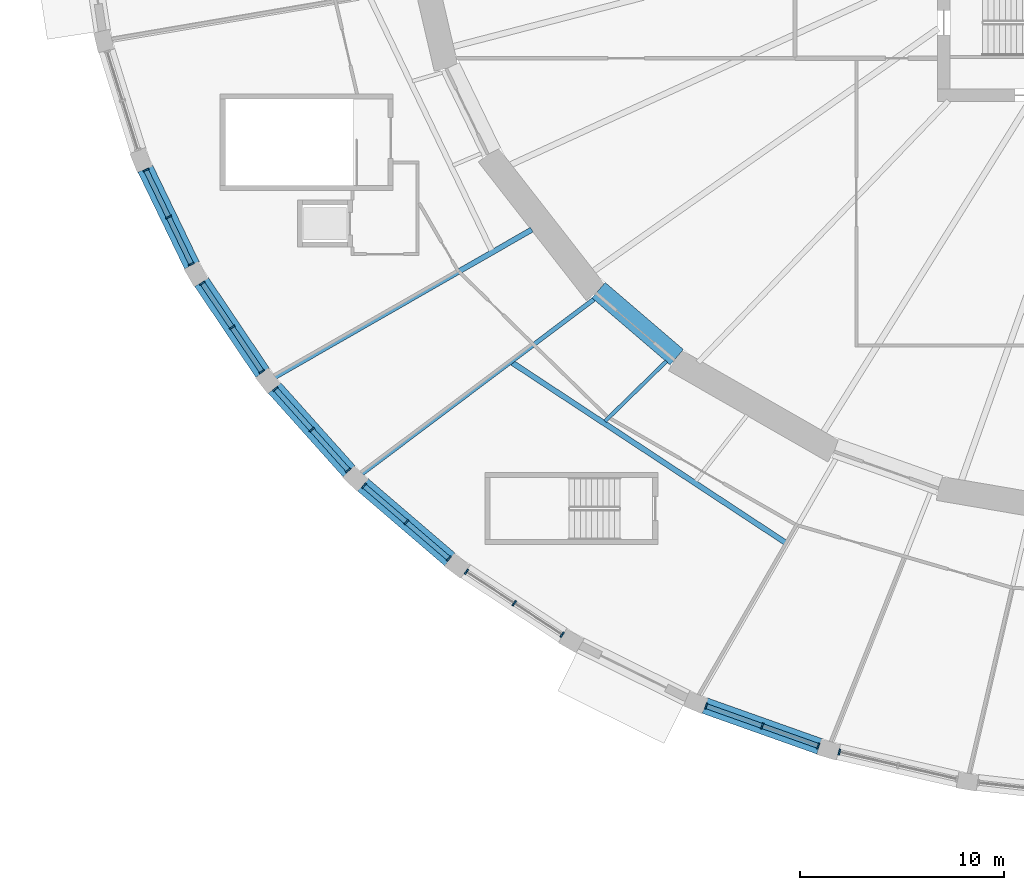
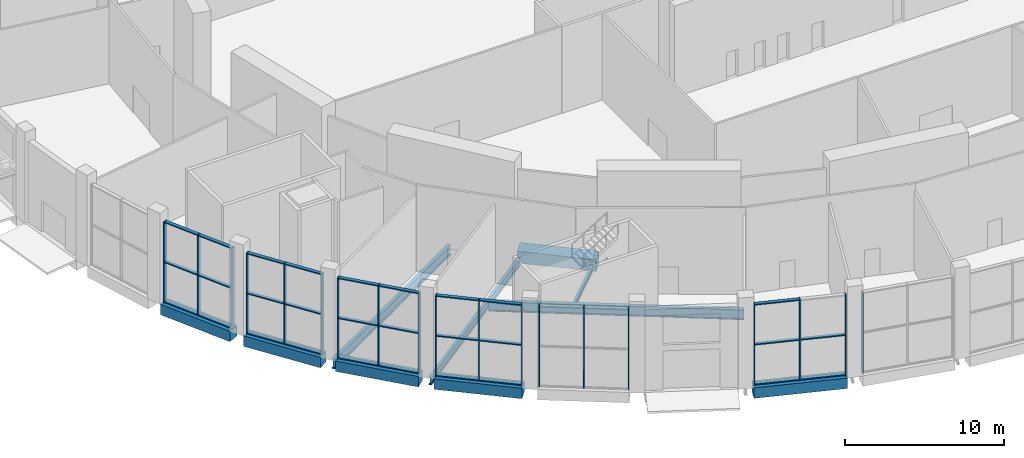
# One storey, part 2 of 33: 48 members, 10 beams, 7 elements without a shape of their own.
"""IFC4 building model written with IfcOpenShell, lengths in metres."""

import ifcopenshell
import ifcopenshell.guid

model = None  # the IFC model being written
_history = None  # IfcOwnerHistory: only IFC2X3 demands one
_inside = {}  # id of a spatial element -> (the spatial element, [elements in it])
_under = {}  # id of a project, library or spatial element -> (it, [spatial elements below it])
_declared = {}  # id of a project -> (the project, [libraries it declares])
_typed = {}  # id of a type object -> (the type object, [elements of that type])
_made_of = {}  # id of a material, layer set ... -> (it, [elements and type objects made of it])


def new_model(schema):
    """Start an empty IFC model of exactly this schema.

    Asked for "IFC4X3", IfcOpenShell would pick the latest addendum, in which some entities
    have other attributes; the version numbers below select the first issue.
    IFC2X3 requires an IfcOwnerHistory on every rooted entity: one is made here for all.
    """
    global model, _history
    if schema == "IFC4X3":
        model = ifcopenshell.file(schema_version=(4, 3, 0, 0))
    else:
        model = ifcopenshell.file(schema=schema)
    _inside.clear()
    _under.clear()
    _declared.clear()
    _typed.clear()
    _made_of.clear()
    _history = None
    if model.schema == "IFC2X3":
        org = make("IfcOrganization", Name="unknown")
        user = make(
            "IfcPersonAndOrganization",
            ThePerson=make("IfcPerson", FamilyName="unknown"),
            TheOrganization=org,
        )
        app = make(
            "IfcApplication",
            ApplicationDeveloper=org,
            Version="unknown",
            ApplicationFullName="unknown",
            ApplicationIdentifier="unknown",
        )
        _history = make(
            "IfcOwnerHistory",
            OwningUser=user,
            OwningApplication=app,
            ChangeAction="ADDED",
            CreationDate=0,
        )
    return model


def make(cls, **values):
    """One entity of the class cls with the attributes given. An attribute that is None is left unset."""
    return model.create_entity(
        cls, **{name: value for name, value in values.items() if value is not None}
    )


def rooted(cls, **values):
    """An entity with a GlobalId (a new one), such as an element, a storey or a relation."""
    return make(cls, GlobalId=ifcopenshell.guid.new(), OwnerHistory=_history, **values)


def si_unit(unit_type, name, prefix=None):
    """IfcSIUnit, for example si_unit("LENGTHUNIT", "METRE", prefix="MILLI")."""
    return make("IfcSIUnit", UnitType=unit_type, Prefix=prefix, Name=name)


def assignment(units):
    """IfcUnitAssignment: the units of a project."""
    return None if units is None else make("IfcUnitAssignment", Units=units)


def point(xyz):
    """IfcCartesianPoint."""
    return None if xyz is None else make("IfcCartesianPoint", Coordinates=xyz)


def direction(xyz):
    """IfcDirection."""
    return None if xyz is None else make("IfcDirection", DirectionRatios=xyz)


def frame(location, z_axis=None, x_axis=None):
    """IfcAxis2Placement3D, a coordinate frame: its origin and axes. An axis left out is left unset."""
    return make(
        "IfcAxis2Placement3D",
        Location=point(location),
        Axis=direction(z_axis),
        RefDirection=direction(x_axis),
    )


def frame_2d(location, x_axis=None):
    """IfcAxis2Placement2D, a coordinate frame in the plane: its origin and x axis."""
    return make(
        "IfcAxis2Placement2D", Location=point(location), RefDirection=direction(x_axis)
    )


def origin():
    """The frame at (0, 0, 0) with its axes left unset."""
    return frame((0.0, 0.0, 0.0))


def origin_2d():
    """The frame at (0, 0) in the plane with its x axis left unset."""
    return frame_2d((0.0, 0.0))


def place(relative_to, where):
    """IfcLocalPlacement: puts the frame where relative to a parent placement (None: the world)."""
    return make(
        "IfcLocalPlacement", PlacementRelTo=relative_to, RelativePlacement=where
    )


def context(
    kind, dimensions, precision=None, world=None, true_north=None, identifier=None
):
    """IfcGeometricRepresentationContext, for example the 3D "Model" context."""
    return make(
        "IfcGeometricRepresentationContext",
        ContextIdentifier=identifier,
        ContextType=kind,
        CoordinateSpaceDimension=dimensions,
        Precision=precision,
        WorldCoordinateSystem=world,
        TrueNorth=true_north,
    )


def subcontext(parent, identifier, kind, view, scale=None):
    """IfcGeometricRepresentationSubContext, for example "Body" below "Model"."""
    return make(
        "IfcGeometricRepresentationSubContext",
        ContextIdentifier=identifier,
        ContextType=kind,
        ParentContext=parent,
        TargetScale=scale,
        TargetView=view,
    )


def project(units=None, contexts=None):
    """IfcProject with its units and contexts."""
    return rooted(
        "IfcProject",
        Name="project",
        RepresentationContexts=contexts,
        UnitsInContext=assignment(units),
    )


def spatial(cls, under=None, at=None, **own):
    """A site, building, storey or space (cls), placed at a placement, below another one or the project."""
    s = rooted(cls, ObjectPlacement=at, **own)
    if under is not None:
        _under.setdefault(under.id(), (under, []))[1].append(s)
    return s


def profile(cls, at=None, kind="AREA", **sizes):
    """A parametric profile (cls). Its sizes go by their IFC names, for example OverallWidth=200.0."""
    return make(cls, ProfileType=kind, Position=at, **sizes)


def rectangle(**sizes):
    """IfcRectangleProfileDef."""
    return profile("IfcRectangleProfileDef", **sizes)


def i_section(**sizes):
    """IfcIShapeProfileDef."""
    return profile("IfcIShapeProfileDef", **sizes)


def extrude(swept, where, along, depth):
    """IfcExtrudedAreaSolid: the profile swept, set in the frame where, extruded along a direction by depth."""
    return make(
        "IfcExtrudedAreaSolid",
        SweptArea=swept,
        Position=where,
        ExtrudedDirection=direction(along),
        Depth=depth,
    )


def shape(context_of_items, identifier, shape_type, items):
    """IfcShapeRepresentation: the items that make up one representation, for example the "Body"."""
    return make(
        "IfcShapeRepresentation",
        ContextOfItems=context_of_items,
        RepresentationIdentifier=identifier,
        RepresentationType=shape_type,
        Items=items,
    )


def material(Name=None, Category=None):
    """IfcMaterial."""
    return make("IfcMaterial", Name=Name, Category=Category)


def material_profile(
    of_material, cross_section, Name=None, Category=None, Priority=None
):
    """IfcMaterialProfile: a cross section and its material."""
    return make(
        "IfcMaterialProfile",
        Name=Name,
        Material=of_material,
        Profile=cross_section,
        Priority=Priority,
        Category=Category,
    )


def profile_set(profiles, Name=None, composite=None):
    """IfcMaterialProfileSet."""
    return make(
        "IfcMaterialProfileSet",
        Name=Name,
        MaterialProfiles=profiles,
        CompositeProfile=composite,
    )


def made_of(thing, what):
    """Note that an element or type object is made of a material, layer set ...; save() writes the relation."""
    if what is not None:
        _made_of.setdefault(what.id(), (what, []))[1].append(thing)
    return thing


def type_object(cls, material=None, **own):
    """A type object (cls), such as IfcWallType, which elements share."""
    return made_of(rooted(cls, **own), material)


def element(
    cls,
    number,
    at=None,
    inside=None,
    cuts=None,
    type_object=None,
    material=None,
    context=None,
    identifier="Body",
    shape_type=None,
    held_by="IfcProductDefinitionShape",
    body=None,
    shapes=None,
    **own,
):
    """One element of the class cls, such as IfcWall. Its Tag is "e" and its number.

    at: its placement. inside: the storey or other place that contains it. cuts: it is an
    opening in that element (IfcRelVoidsElement). A single representation is given by context,
    identifier, shape_type and body (its items); several are given by shapes. held_by: the class
    of the entity that holds the representations. save() writes the other relations.
    """
    e = rooted(cls, Tag="e%d" % number, ObjectPlacement=at, **own)
    if body is not None:
        shapes = [shape(context, identifier, shape_type, body)]
    if shapes is not None:
        e.Representation = make(held_by, Representations=shapes)
    if inside is not None:
        _inside.setdefault(inside.id(), (inside, []))[1].append(e)
    if cuts is not None:
        rooted(
            "IfcRelVoidsElement", RelatingBuildingElement=cuts, RelatedOpeningElement=e
        )
    if type_object is not None:
        _typed.setdefault(type_object.id(), (type_object, []))[1].append(e)
    return made_of(e, material)


def aggregate(whole, parts):
    """IfcRelAggregates: a whole, such as a stair, and the parts it consists of."""
    return rooted("IfcRelAggregates", RelatingObject=whole, RelatedObjects=parts)


def save(model, path):
    """Write the relations noted so far, then the file.

    IfcRelAggregates (storeys below a building ...), IfcRelContainedInSpatialStructure (elements
    in a storey), IfcRelDefinesByType, IfcRelAssociatesMaterial and IfcRelDeclares: one each for
    every whole, place, type object, material and project.
    """
    for whole, parts in _under.values():
        aggregate(whole, parts)
    for where, things in _inside.values():
        rooted(
            "IfcRelContainedInSpatialStructure",
            RelatedElements=things,
            RelatingStructure=where,
        )
    for kind, things in _typed.values():
        rooted("IfcRelDefinesByType", RelatedObjects=things, RelatingType=kind)
    for what, things in _made_of.values():
        rooted("IfcRelAssociatesMaterial", RelatedObjects=things, RelatingMaterial=what)
    for by, libraries in _declared.values():
        rooted("IfcRelDeclares", RelatingContext=by, RelatedDefinitions=libraries)
    model.write(path)


model = new_model("IFC4")

# Units and contexts
model_context = context("Model", 3, precision=1e-05, world=origin(), true_north=direction((0.0, 1.0)))
body_context = subcontext(model_context, "Body", "Model", "MODEL_VIEW")
ifc_project = project(units=[si_unit("LENGTHUNIT", "METRE"), si_unit("AREAUNIT", "SQUARE_METRE"), si_unit("VOLUMEUNIT", "CUBIC_METRE"), si_unit("PLANEANGLEUNIT", "RADIAN"), si_unit("MASSUNIT", "GRAM", prefix="KILO")], contexts=[model_context])

# Site, building, storey
site_placement = place(None, origin())
site = spatial("IfcSite", under=ifc_project, at=site_placement, CompositionType="ELEMENT")
building_placement = place(site_placement, origin())
building = spatial("IfcBuilding", under=site, at=building_placement, Name="Halqa Exchange Tower", CompositionType="ELEMENT")
storey_placement = place(building_placement, origin())
storey = spatial("IfcBuildingStorey", under=building, at=storey_placement, Name="L00", CompositionType="ELEMENT", Elevation=0.0)

# Beams
ifc_material_1 = material(Name="Steel S355", Category="steel")
ifc_material_profile_1 = material_profile(ifc_material_1, i_section(OverallWidth=0.179931640625, OverallDepth=0.39990234375, WebThickness=0.008544921875, FlangeThickness=0.013427734375, FilletRadius=0.02099609375, at=origin_2d()), Name="IPE 400")
ifc_profile_set_1 = profile_set([ifc_material_profile_1], Name="Steel S355")
beam_type_1 = type_object("IfcBeamType", Name="Floor beam IPE 400", PredefinedType="BEAM", material=ifc_profile_set_1)
beam_1_placement = place(storey_placement, frame((-25.322265625, -24.757080078125, -0.64990234375), z_axis=(-0.715007310884, -0.699116975464, 0.0), x_axis=(0.699116975464, -0.715007310884, 0.0)))
element("IfcBeam", 1, at=beam_1_placement, inside=storey, type_object=beam_type_1, Name="Radial beam 31a", PredefinedType="BEAM", context=body_context, shape_type="SweptSolid", body=[
    extrude(i_section(OverallWidth=0.179931640625, OverallDepth=0.39990234375, WebThickness=0.008544921875, FlangeThickness=0.013427734375, FilletRadius=0.02099609375, at=origin_2d()), origin(), (0.0, 0.0, 1.0), 4.22509765625),
])
ifc_material_profile_2 = material_profile(ifc_material_1, i_section(OverallWidth=0.219970703125, OverallDepth=0.60009765625, WebThickness=0.011962890625, FlangeThickness=0.01904296875, FilletRadius=0.02392578125, at=origin_2d()), Name="IPE 600")
ifc_profile_set_2 = profile_set([ifc_material_profile_2], Name="Steel S355")
beam_type_2 = type_object("IfcBeamType", Name="Floor beam IPE 600", PredefinedType="BEAM", material=ifc_profile_set_2)
beam_2_placement = place(storey_placement, frame((-28.875732421875, -21.71240234375, -0.75), z_axis=(-0.799257291391, -0.600989003359, 0.0), x_axis=(0.600989003359, -0.799257291391, 0.0)))
element("IfcBeam", 2, at=beam_2_placement, inside=storey, type_object=beam_type_2, Name="Radial beam 30", PredefinedType="BEAM", context=body_context, shape_type="SweptSolid", body=[
    extrude(i_section(OverallWidth=0.219970703125, OverallDepth=0.60009765625, WebThickness=0.011962890625, FlangeThickness=0.01904296875, FilletRadius=0.02392578125, at=origin_2d()), origin(), (0.0, 0.0, 1.0), 14.291259765625),
])
ifc_material_profile_3 = material_profile(ifc_material_1, i_section(OverallWidth=0.264892578125, OverallDepth=0.7529296875, WebThickness=0.01318359375, FlangeThickness=0.01708984375, FilletRadius=0.01708984375, at=origin_2d()), Name="IPE 750x147")
ifc_profile_set_3 = profile_set([ifc_material_profile_3], Name="Steel S355")
beam_type_3 = type_object("IfcBeamType", Name="Floor beam IPE 750x147", PredefinedType="BEAM", material=ifc_profile_set_3)
beam_3_placement = place(storey_placement, frame((-31.942626953125, -18.300048828125, -0.826416015625), z_axis=(-0.867691436398, -0.497103179633, 0.0), x_axis=(0.497103179633, -0.867691436398, 0.0)))
element("IfcBeam", 3, at=beam_3_placement, inside=storey, type_object=beam_type_3, Name="Radial beam 29", PredefinedType="BEAM", context=body_context, shape_type="SweptSolid", body=[
    extrude(i_section(OverallWidth=0.264892578125, OverallDepth=0.7529296875, WebThickness=0.01318359375, FlangeThickness=0.01708984375, FilletRadius=0.01708984375, at=origin_2d()), origin(), (0.0, 0.0, 1.0), 14.555908203125),
])
ifc_material_profile_4 = material_profile(ifc_material_1, i_section(OverallWidth=0.26806640625, OverallDepth=0.77001953125, WebThickness=0.015625, FlangeThickness=0.025390625, FilletRadius=0.01708984375, at=origin_2d()), Name="IPE 750x196")
ifc_profile_set_4 = profile_set([ifc_material_profile_4], Name="Steel S355")
beam_type_4 = type_object("IfcBeamType", Name="Floor beam IPE 750x196", PredefinedType="BEAM", material=ifc_profile_set_4)
beam_4_placement = place(storey_placement, frame((-32.896728515625, -24.839599609375, -0.8349609375), z_axis=(0.835204203593, -0.54993994063, 0.0), x_axis=(0.54993994063, 0.835204203593, 0.0)))
element("IfcBeam", 4, at=beam_4_placement, inside=storey, type_object=beam_type_4, Name="Radial beam TPS4-in", PredefinedType="BEAM", context=body_context, shape_type="SweptSolid", body=[
    extrude(i_section(OverallWidth=0.26806640625, OverallDepth=0.77001953125, WebThickness=0.015625, FlangeThickness=0.025390625, FilletRadius=0.01708984375, at=origin_2d()), origin(), (0.0, 0.0, 1.0), 16.07958984375),
])
ifc_material_2 = material(Name="Concrete C60/75", Category="concrete")
ifc_material_profile_5 = material_profile(ifc_material_2, rectangle(XDim=0.800048828125, YDim=0.800048828125, at=origin_2d()), Name="800 x 800")
ifc_profile_set_5 = profile_set([ifc_material_profile_5], Name="Concrete C60/75")
beam_type_5 = type_object("IfcBeamType", Name="RC podium edge beam 800 x 800 C60/75", PredefinedType="SPANDREL", material=ifc_profile_set_5)
beam_5_placement = place(storey_placement, frame((-50.92822265625, -15.308837890625, -0.39990234375), z_axis=(0.43497328232, -0.9004433595, 0.0), x_axis=(0.9004433595, 0.43497328232, 0.0)))
element("IfcBeam", 5, at=beam_5_placement, inside=storey, type_object=beam_type_5, Name="Podium edge beam 27", PredefinedType="SPANDREL", context=body_context, shape_type="SweptSolid", body=[
    extrude(rectangle(XDim=0.800048828125, YDim=0.800048828125, at=origin_2d()), origin(), (0.0, 0.0, 1.0), 5.267578125),
])
beam_6_placement = place(storey_placement, frame((-48.1669921875, -20.8701171875, -0.39990234375), z_axis=(0.558528358221, -0.829485426673, 0.0), x_axis=(0.829485426673, 0.558528358221, 0.0)))
element("IfcBeam", 6, at=beam_6_placement, inside=storey, type_object=beam_type_5, Name="Podium edge beam 28", PredefinedType="SPANDREL", context=body_context, shape_type="SweptSolid", body=[
    extrude(rectangle(XDim=0.800048828125, YDim=0.800048828125, at=origin_2d()), origin(), (0.0, 0.0, 1.0), 5.378173828125),
])
beam_7_placement = place(storey_placement, frame((-44.58349609375, -26.075927734375, -0.39990234375), z_axis=(0.666902525907, -0.745144966392, 0.0), x_axis=(0.745144966392, 0.666902525907, 0.0)))
element("IfcBeam", 7, at=beam_7_placement, inside=storey, type_object=beam_type_5, Name="Podium edge beam 29", PredefinedType="SPANDREL", context=body_context, shape_type="SweptSolid", body=[
    extrude(rectangle(XDim=0.800048828125, YDim=0.800048828125, at=origin_2d()), origin(), (0.0, 0.0, 1.0), 5.501220703125),
])
beam_8_placement = place(storey_placement, frame((-40.240478515625, -30.83544921875, -0.39990234375), z_axis=(0.759174010844, -0.650887717859, 0.0), x_axis=(0.650887717859, 0.759174010844, 0.0)))
element("IfcBeam", 8, at=beam_8_placement, inside=storey, type_object=beam_type_5, Name="Podium edge beam 30", PredefinedType="SPANDREL", context=body_context, shape_type="SweptSolid", body=[
    extrude(rectangle(XDim=0.800048828125, YDim=0.800048828125, at=origin_2d()), origin(), (0.0, 0.0, 1.0), 5.63427734375),
])
beam_9_placement = place(storey_placement, frame((-23.4384765625, -41.683349609375, -0.39990234375), z_axis=(0.942343471221, -0.334647250469, 0.0), x_axis=(0.334647250469, 0.942343471221, 0.0)))
element("IfcBeam", 9, at=beam_9_placement, inside=storey, type_object=beam_type_5, Name="Podium edge beam 33", PredefinedType="SPANDREL", context=body_context, shape_type="SweptSolid", body=[
    extrude(rectangle(XDim=0.800048828125, YDim=0.800048828125, at=origin_2d()), origin(), (0.0, 0.0, 1.0), 5.980712890625),
])
ifc_material_profile_6 = material_profile(ifc_material_2, rectangle(XDim=1.0, YDim=0.89990234375, at=origin_2d()), Name="1000 x 900")
ifc_profile_set_6 = profile_set([ifc_material_profile_6], Name="Concrete C60/75")
beam_type_6 = type_object("IfcBeamType", Name="RC spandrel beam 1000 x 900 C60/75", PredefinedType="SPANDREL", material=ifc_profile_set_6)
beam_10_placement = place(storey_placement, frame((-28.659423828125, -21.27587890625, -0.449951171875), z_axis=(0.759263417999, -0.650783421799, 0.0), x_axis=(0.650783421799, 0.759263417999, 0.0)))
element("IfcBeam", 10, at=beam_10_placement, inside=storey, type_object=beam_type_6, Name="Spandrel 20", PredefinedType="SPANDREL", context=body_context, shape_type="SweptSolid", body=[
    extrude(rectangle(XDim=1.0, YDim=0.89990234375, at=origin_2d()), origin(), (0.0, 0.0, 1.0), 5.056884765625),
])

# Curtain wall, members
ifc_material_3 = material(Name="Anodised aluminium and clear glass", Category="aluminium")
curtain_wall_type = type_object("IfcCurtainWallType", Name="Station concourse glazing", PredefinedType="NOTDEFINED", material=ifc_material_3)
curtain_wall_1_placement = place(storey_placement, origin())
curtain_wall_1 = element("IfcCurtainWall", 11, at=curtain_wall_1_placement, inside=storey, type_object=curtain_wall_type, Name="Station concourse glazing run P27", PredefinedType="NOTDEFINED")
ifc_material_4 = material(Name="Anodised aluminium", Category="aluminium")
ifc_material_profile_7 = material_profile(ifc_material_4, rectangle(XDim=0.300048828125, YDim=0.080078125, at=origin_2d()), Name="AL 80x300")
ifc_profile_set_7 = profile_set([ifc_material_profile_7], Name="Anodised aluminium")
member_type_1 = type_object("IfcMemberType", Name="Station concourse glazing mullion 80 x 300", PredefinedType="MULLION", material=ifc_profile_set_7)
member_1_placement = place(storey_placement, frame((-50.8994140625, -15.368896484375, 0.0), z_axis=(0.0, 0.0, 1.0), x_axis=(0.90043534892, 0.434989864727, 0.0)))
member_1 = element("IfcMember", 12, at=member_1_placement, type_object=member_type_1, Name="P27 mullion 1", PredefinedType="MULLION", context=body_context, shape_type="SweptSolid", body=[
    extrude(rectangle(XDim=0.300048828125, YDim=0.080078125, at=origin_2d()), origin(), (0.0, 0.0, 1.0), 6.199951171875),
])
member_2_placement = place(storey_placement, frame((-49.78271484375, -17.680419921875, 0.0), z_axis=(0.0, 0.0, 1.0), x_axis=(0.90043534892, 0.434989864727, 0.0)))
member_2 = element("IfcMember", 13, at=member_2_placement, type_object=member_type_1, Name="P27 mullion 2", PredefinedType="MULLION", context=body_context, shape_type="SweptSolid", body=[
    extrude(rectangle(XDim=0.300048828125, YDim=0.080078125, at=origin_2d()), origin(), (0.0, 0.0, 1.0), 6.199951171875),
])
member_3_placement = place(storey_placement, frame((-48.666015625, -19.99169921875, 0.0), z_axis=(0.0, 0.0, 1.0), x_axis=(0.90043534892, 0.434989864727, 0.0)))
member_3 = element("IfcMember", 14, at=member_3_placement, type_object=member_type_1, Name="P27 mullion 3", PredefinedType="MULLION", context=body_context, shape_type="SweptSolid", body=[
    extrude(rectangle(XDim=0.300048828125, YDim=0.080078125, at=origin_2d()), origin(), (0.0, 0.0, 1.0), 6.199951171875),
])

curtain_wall_2_placement = place(storey_placement, origin())
curtain_wall_2 = element("IfcCurtainWall", 15, at=curtain_wall_2_placement, inside=storey, type_object=curtain_wall_type, Name="Station concourse glazing run P28", PredefinedType="NOTDEFINED")
member_4_placement = place(storey_placement, frame((-48.12939453125, -20.92578125, 0.0), z_axis=(0.0, 0.0, 1.0), x_axis=(0.8294895023, 0.55852230535, 0.0)))
member_4 = element("IfcMember", 16, at=member_4_placement, type_object=member_type_1, Name="P28 mullion 1", PredefinedType="MULLION", context=body_context, shape_type="SweptSolid", body=[
    extrude(rectangle(XDim=0.300048828125, YDim=0.080078125, at=origin_2d()), origin(), (0.0, 0.0, 1.0), 6.199951171875),
])
member_5_placement = place(storey_placement, frame((-46.665283203125, -23.100341796875, 0.0), z_axis=(0.0, 0.0, 1.0), x_axis=(0.8294895023, 0.55852230535, 0.0)))
member_5 = element("IfcMember", 17, at=member_5_placement, type_object=member_type_1, Name="P28 mullion 2", PredefinedType="MULLION", context=body_context, shape_type="SweptSolid", body=[
    extrude(rectangle(XDim=0.300048828125, YDim=0.080078125, at=origin_2d()), origin(), (0.0, 0.0, 1.0), 6.199951171875),
])
member_6_placement = place(storey_placement, frame((-45.200927734375, -25.27490234375, 0.0), z_axis=(0.0, 0.0, 1.0), x_axis=(0.8294895023, 0.55852230535, 0.0)))
member_6 = element("IfcMember", 18, at=member_6_placement, type_object=member_type_1, Name="P28 mullion 3", PredefinedType="MULLION", context=body_context, shape_type="SweptSolid", body=[
    extrude(rectangle(XDim=0.300048828125, YDim=0.080078125, at=origin_2d()), origin(), (0.0, 0.0, 1.0), 6.199951171875),
])

curtain_wall_3_placement = place(storey_placement, origin())
curtain_wall_3 = element("IfcCurtainWall", 19, at=curtain_wall_3_placement, inside=storey, type_object=curtain_wall_type, Name="Station concourse glazing run P29", PredefinedType="NOTDEFINED")
member_7_placement = place(storey_placement, frame((-44.539306640625, -26.125244140625, 0.0), z_axis=(0.0, 0.0, 1.0), x_axis=(0.74514769466, 0.666899477539, 0.0)))
member_7 = element("IfcMember", 20, at=member_7_placement, type_object=member_type_1, Name="P29 mullion 1", PredefinedType="MULLION", context=body_context, shape_type="SweptSolid", body=[
    extrude(rectangle(XDim=0.300048828125, YDim=0.080078125, at=origin_2d()), origin(), (0.0, 0.0, 1.0), 6.199951171875),
])
member_8_placement = place(storey_placement, frame((-42.749267578125, -28.125244140625, 0.0), z_axis=(0.0, 0.0, 1.0), x_axis=(0.74514769466, 0.666899477539, 0.0)))
member_8 = element("IfcMember", 21, at=member_8_placement, type_object=member_type_1, Name="P29 mullion 2", PredefinedType="MULLION", context=body_context, shape_type="SweptSolid", body=[
    extrude(rectangle(XDim=0.300048828125, YDim=0.080078125, at=origin_2d()), origin(), (0.0, 0.0, 1.0), 6.199951171875),
])
member_9_placement = place(storey_placement, frame((-40.95947265625, -30.125244140625, 0.0), z_axis=(0.0, 0.0, 1.0), x_axis=(0.74514769466, 0.666899477539, 0.0)))
member_9 = element("IfcMember", 22, at=member_9_placement, type_object=member_type_1, Name="P29 mullion 3", PredefinedType="MULLION", context=body_context, shape_type="SweptSolid", body=[
    extrude(rectangle(XDim=0.300048828125, YDim=0.080078125, at=origin_2d()), origin(), (0.0, 0.0, 1.0), 6.199951171875),
])

curtain_wall_4_placement = place(storey_placement, origin())
curtain_wall_4 = element("IfcCurtainWall", 23, at=curtain_wall_4_placement, inside=storey, type_object=curtain_wall_type, Name="Station concourse glazing run P30", PredefinedType="NOTDEFINED")
member_10_placement = place(storey_placement, frame((-40.189453125, -30.879150390625, 0.0), z_axis=(0.0, 0.0, 1.0), x_axis=(0.650910929175, 0.759154109704, 0.0)))
member_10 = element("IfcMember", 24, at=member_10_placement, type_object=member_type_1, Name="P30 mullion 1", PredefinedType="MULLION", context=body_context, shape_type="SweptSolid", body=[
    extrude(rectangle(XDim=0.300048828125, YDim=0.080078125, at=origin_2d()), origin(), (0.0, 0.0, 1.0), 6.199951171875),
])
member_11_placement = place(storey_placement, frame((-38.10205078125, -32.6689453125, 0.0), z_axis=(0.0, 0.0, 1.0), x_axis=(0.650910929175, 0.759154109704, 0.0)))
member_11 = element("IfcMember", 25, at=member_11_placement, type_object=member_type_1, Name="P30 mullion 2", PredefinedType="MULLION", context=body_context, shape_type="SweptSolid", body=[
    extrude(rectangle(XDim=0.300048828125, YDim=0.080078125, at=origin_2d()), origin(), (0.0, 0.0, 1.0), 6.199951171875),
])
member_12_placement = place(storey_placement, frame((-36.0146484375, -34.458740234375, 0.0), z_axis=(0.0, 0.0, 1.0), x_axis=(0.650910929175, 0.759154109704, 0.0)))
member_12 = element("IfcMember", 26, at=member_12_placement, type_object=member_type_1, Name="P30 mullion 3", PredefinedType="MULLION", context=body_context, shape_type="SweptSolid", body=[
    extrude(rectangle(XDim=0.300048828125, YDim=0.080078125, at=origin_2d()), origin(), (0.0, 0.0, 1.0), 6.199951171875),
])

curtain_wall_5_placement = place(storey_placement, origin())
curtain_wall_5 = element("IfcCurtainWall", 27, at=curtain_wall_5_placement, inside=storey, type_object=curtain_wall_type, Name="Station concourse glazing run P31", PredefinedType="NOTDEFINED")
member_13_placement = place(storey_placement, frame((-35.153564453125, -35.10693359375, 0.0), z_axis=(0.0, 0.0, 1.0), x_axis=(0.549620040919, 0.835414753652, 0.0)))
member_13 = element("IfcMember", 28, at=member_13_placement, type_object=member_type_1, Name="P31 mullion 1", PredefinedType="MULLION", context=body_context, shape_type="SweptSolid", body=[
    extrude(rectangle(XDim=0.300048828125, YDim=0.080078125, at=origin_2d()), origin(), (0.0, 0.0, 1.0), 6.199951171875),
])
member_14_placement = place(storey_placement, frame((-32.802734375, -36.653564453125, 0.0), z_axis=(0.0, 0.0, 1.0), x_axis=(0.549620040919, 0.835414753652, 0.0)))
member_14 = element("IfcMember", 29, at=member_14_placement, type_object=member_type_1, Name="P31 mullion 2", PredefinedType="MULLION", context=body_context, shape_type="SweptSolid", body=[
    extrude(rectangle(XDim=0.300048828125, YDim=0.080078125, at=origin_2d()), origin(), (0.0, 0.0, 1.0), 6.199951171875),
])
member_15_placement = place(storey_placement, frame((-30.451904296875, -38.2001953125, 0.0), z_axis=(0.0, 0.0, 1.0), x_axis=(0.549620040919, 0.835414753652, 0.0)))
member_15 = element("IfcMember", 30, at=member_15_placement, type_object=member_type_1, Name="P31 mullion 3", PredefinedType="MULLION", context=body_context, shape_type="SweptSolid", body=[
    extrude(rectangle(XDim=0.300048828125, YDim=0.080078125, at=origin_2d()), origin(), (0.0, 0.0, 1.0), 6.199951171875),
])
aggregate(curtain_wall_5, [member_13, member_14, member_15])

curtain_wall_6_placement = place(storey_placement, origin())
curtain_wall_6 = element("IfcCurtainWall", 31, at=curtain_wall_6_placement, inside=storey, type_object=curtain_wall_type, Name="Station concourse glazing run P33", PredefinedType="NOTDEFINED")
member_16_placement = place(storey_placement, frame((-23.374755859375, -41.705810546875, 0.0), z_axis=(0.0, 0.0, 1.0), x_axis=(0.334688348326, 0.942328875444, 0.0)))
member_16 = element("IfcMember", 32, at=member_16_placement, type_object=member_type_1, Name="P33 mullion 1", PredefinedType="MULLION", context=body_context, shape_type="SweptSolid", body=[
    extrude(rectangle(XDim=0.300048828125, YDim=0.080078125, at=origin_2d()), origin(), (0.0, 0.0, 1.0), 6.199951171875),
])
member_17_placement = place(storey_placement, frame((-20.62060546875, -42.68408203125, 0.0), z_axis=(0.0, 0.0, 1.0), x_axis=(0.334688348326, 0.942328875444, 0.0)))
member_17 = element("IfcMember", 33, at=member_17_placement, type_object=member_type_1, Name="P33 mullion 2", PredefinedType="MULLION", context=body_context, shape_type="SweptSolid", body=[
    extrude(rectangle(XDim=0.300048828125, YDim=0.080078125, at=origin_2d()), origin(), (0.0, 0.0, 1.0), 6.199951171875),
])
member_18_placement = place(storey_placement, frame((-17.86669921875, -43.662109375, 0.0), z_axis=(0.0, 0.0, 1.0), x_axis=(0.334688348326, 0.942328875444, 0.0)))
member_18 = element("IfcMember", 34, at=member_18_placement, type_object=member_type_1, Name="P33 mullion 3", PredefinedType="MULLION", context=body_context, shape_type="SweptSolid", body=[
    extrude(rectangle(XDim=0.300048828125, YDim=0.080078125, at=origin_2d()), origin(), (0.0, 0.0, 1.0), 6.199951171875),
])

# Curtain wall, member
curtain_wall_7_placement = place(storey_placement, origin())
curtain_wall_7 = element("IfcCurtainWall", 35, at=curtain_wall_7_placement, inside=storey, type_object=curtain_wall_type, Name="Station concourse glazing run P34", PredefinedType="NOTDEFINED")
member_19_placement = place(storey_placement, frame((-16.831298828125, -43.9638671875, 0.0), z_axis=(0.0, 0.0, 1.0), x_axis=(0.223896655269, 0.974612891234, 0.0)))
member_19 = element("IfcMember", 36, at=member_19_placement, type_object=member_type_1, Name="P34 mullion 1", PredefinedType="MULLION", context=body_context, shape_type="SweptSolid", body=[
    extrude(rectangle(XDim=0.300048828125, YDim=0.080078125, at=origin_2d()), origin(), (0.0, 0.0, 1.0), 6.199951171875),
])
aggregate(curtain_wall_7, [member_19])

# Member
ifc_material_profile_8 = material_profile(ifc_material_4, rectangle(XDim=0.25, YDim=0.080078125, at=origin_2d()), Name="AL 80x250")
ifc_profile_set_8 = profile_set([ifc_material_profile_8], Name="Anodised aluminium")
member_type_2 = type_object("IfcMemberType", Name="Station concourse glazing transom 80 x 250", PredefinedType="USERDEFINED", material=ifc_profile_set_8)
member_20_placement = place(storey_placement, frame((-50.8818359375, -15.40478515625, 0.0400390625), z_axis=(0.434960430971, -0.900449567433, 0.0), x_axis=(0.900449567433, 0.434960430971, 0.0)))
member_20 = element("IfcMember", 37, at=member_20_placement, type_object=member_type_2, Name="P27 transom 1.1", ObjectType="TRANSOM", PredefinedType="USERDEFINED", context=body_context, shape_type="SweptSolid", body=[
    extrude(rectangle(XDim=0.25, YDim=0.080078125, at=origin_2d()), origin(), (0.0, 0.0, 1.0), 2.487060546875),
])

member_21_placement = place(storey_placement, frame((-50.8818359375, -15.40478515625, 3.10009765625), z_axis=(0.434960430971, -0.900449567433, 0.0), x_axis=(0.900449567433, 0.434960430971, 0.0)))
member_21 = element("IfcMember", 38, at=member_21_placement, type_object=member_type_2, Name="P27 transom 1.2", ObjectType="TRANSOM", PredefinedType="USERDEFINED", context=body_context, shape_type="SweptSolid", body=[
    extrude(rectangle(XDim=0.25, YDim=0.080078125, at=origin_2d()), origin(), (0.0, 0.0, 1.0), 2.487060546875),
])

member_22_placement = place(storey_placement, frame((-50.8818359375, -15.40478515625, 6.159912109375), z_axis=(0.434960430971, -0.900449567433, 0.0), x_axis=(0.900449567433, 0.434960430971, 0.0)))
member_22 = element("IfcMember", 39, at=member_22_placement, type_object=member_type_2, Name="P27 transom 1.3", ObjectType="TRANSOM", PredefinedType="USERDEFINED", context=body_context, shape_type="SweptSolid", body=[
    extrude(rectangle(XDim=0.25, YDim=0.080078125, at=origin_2d()), origin(), (0.0, 0.0, 1.0), 2.487060546875),
])

member_23_placement = place(storey_placement, frame((-49.76513671875, -17.71630859375, 0.0400390625), z_axis=(0.434960430971, -0.900449567433, 0.0), x_axis=(0.900449567433, 0.434960430971, 0.0)))
member_23 = element("IfcMember", 40, at=member_23_placement, type_object=member_type_2, Name="P27 transom 2.1", ObjectType="TRANSOM", PredefinedType="USERDEFINED", context=body_context, shape_type="SweptSolid", body=[
    extrude(rectangle(XDim=0.25, YDim=0.080078125, at=origin_2d()), origin(), (0.0, 0.0, 1.0), 2.487060546875),
])

member_24_placement = place(storey_placement, frame((-49.76513671875, -17.71630859375, 3.10009765625), z_axis=(0.434960430971, -0.900449567433, 0.0), x_axis=(0.900449567433, 0.434960430971, 0.0)))
member_24 = element("IfcMember", 41, at=member_24_placement, type_object=member_type_2, Name="P27 transom 2.2", ObjectType="TRANSOM", PredefinedType="USERDEFINED", context=body_context, shape_type="SweptSolid", body=[
    extrude(rectangle(XDim=0.25, YDim=0.080078125, at=origin_2d()), origin(), (0.0, 0.0, 1.0), 2.487060546875),
])

member_25_placement = place(storey_placement, frame((-49.76513671875, -17.71630859375, 6.159912109375), z_axis=(0.434960430971, -0.900449567433, 0.0), x_axis=(0.900449567433, 0.434960430971, 0.0)))
member_25 = element("IfcMember", 42, at=member_25_placement, type_object=member_type_2, Name="P27 transom 2.3", ObjectType="TRANSOM", PredefinedType="USERDEFINED", context=body_context, shape_type="SweptSolid", body=[
    extrude(rectangle(XDim=0.25, YDim=0.080078125, at=origin_2d()), origin(), (0.0, 0.0, 1.0), 2.487060546875),
])

aggregate(curtain_wall_1, [member_1, member_2, member_3, member_20, member_21, member_22, member_23, member_24, member_25])

member_26_placement = place(storey_placement, frame((-48.107177734375, -20.958984375, 0.0400390625), z_axis=(0.558528904332, -0.829485058953, 0.0), x_axis=(0.829485058953, 0.558528904332, 0.0)))
member_26 = element("IfcMember", 43, at=member_26_placement, type_object=member_type_2, Name="P28 transom 1.1", ObjectType="TRANSOM", PredefinedType="USERDEFINED", context=body_context, shape_type="SweptSolid", body=[
    extrude(rectangle(XDim=0.25, YDim=0.080078125, at=origin_2d()), origin(), (0.0, 0.0, 1.0), 2.541748046875),
])

member_27_placement = place(storey_placement, frame((-48.107177734375, -20.958984375, 3.10009765625), z_axis=(0.558528904332, -0.829485058953, 0.0), x_axis=(0.829485058953, 0.558528904332, 0.0)))
member_27 = element("IfcMember", 44, at=member_27_placement, type_object=member_type_2, Name="P28 transom 1.2", ObjectType="TRANSOM", PredefinedType="USERDEFINED", context=body_context, shape_type="SweptSolid", body=[
    extrude(rectangle(XDim=0.25, YDim=0.080078125, at=origin_2d()), origin(), (0.0, 0.0, 1.0), 2.541748046875),
])

member_28_placement = place(storey_placement, frame((-48.107177734375, -20.958984375, 6.159912109375), z_axis=(0.558528904332, -0.829485058953, 0.0), x_axis=(0.829485058953, 0.558528904332, 0.0)))
member_28 = element("IfcMember", 45, at=member_28_placement, type_object=member_type_2, Name="P28 transom 1.3", ObjectType="TRANSOM", PredefinedType="USERDEFINED", context=body_context, shape_type="SweptSolid", body=[
    extrude(rectangle(XDim=0.25, YDim=0.080078125, at=origin_2d()), origin(), (0.0, 0.0, 1.0), 2.541748046875),
])

member_29_placement = place(storey_placement, frame((-46.642822265625, -23.133544921875, 0.0400390625), z_axis=(0.558462812465, -0.829529557697, 0.0), x_axis=(0.829529557697, 0.558462812465, 0.0)))
member_29 = element("IfcMember", 46, at=member_29_placement, type_object=member_type_2, Name="P28 transom 2.1", ObjectType="TRANSOM", PredefinedType="USERDEFINED", context=body_context, shape_type="SweptSolid", body=[
    extrude(rectangle(XDim=0.25, YDim=0.080078125, at=origin_2d()), origin(), (0.0, 0.0, 1.0), 2.541748046875),
])

member_30_placement = place(storey_placement, frame((-46.642822265625, -23.133544921875, 3.10009765625), z_axis=(0.558462812465, -0.829529557697, 0.0), x_axis=(0.829529557697, 0.558462812465, 0.0)))
member_30 = element("IfcMember", 47, at=member_30_placement, type_object=member_type_2, Name="P28 transom 2.2", ObjectType="TRANSOM", PredefinedType="USERDEFINED", context=body_context, shape_type="SweptSolid", body=[
    extrude(rectangle(XDim=0.25, YDim=0.080078125, at=origin_2d()), origin(), (0.0, 0.0, 1.0), 2.541748046875),
])

member_31_placement = place(storey_placement, frame((-46.642822265625, -23.133544921875, 6.159912109375), z_axis=(0.558462812465, -0.829529557697, 0.0), x_axis=(0.829529557697, 0.558462812465, 0.0)))
member_31 = element("IfcMember", 48, at=member_31_placement, type_object=member_type_2, Name="P28 transom 2.3", ObjectType="TRANSOM", PredefinedType="USERDEFINED", context=body_context, shape_type="SweptSolid", body=[
    extrude(rectangle(XDim=0.25, YDim=0.080078125, at=origin_2d()), origin(), (0.0, 0.0, 1.0), 2.541748046875),
])

aggregate(curtain_wall_2, [member_4, member_5, member_6, member_26, member_27, member_28, member_29, member_30, member_31])

member_32_placement = place(storey_placement, frame((-44.5126953125, -26.155029296875, 0.0400390625), z_axis=(0.666879811654, -0.745165294957, 0.0), x_axis=(0.745165294957, 0.666879811654, 0.0)))
member_32 = element("IfcMember", 49, at=member_32_placement, type_object=member_type_2, Name="P29 transom 1.1", ObjectType="TRANSOM", PredefinedType="USERDEFINED", context=body_context, shape_type="SweptSolid", body=[
    extrude(rectangle(XDim=0.25, YDim=0.080078125, at=origin_2d()), origin(), (0.0, 0.0, 1.0), 2.60400390625),
])

member_33_placement = place(storey_placement, frame((-44.5126953125, -26.155029296875, 3.10009765625), z_axis=(0.666879811654, -0.745165294957, 0.0), x_axis=(0.745165294957, 0.666879811654, 0.0)))
member_33 = element("IfcMember", 50, at=member_33_placement, type_object=member_type_2, Name="P29 transom 1.2", ObjectType="TRANSOM", PredefinedType="USERDEFINED", context=body_context, shape_type="SweptSolid", body=[
    extrude(rectangle(XDim=0.25, YDim=0.080078125, at=origin_2d()), origin(), (0.0, 0.0, 1.0), 2.60400390625),
])

member_34_placement = place(storey_placement, frame((-44.5126953125, -26.155029296875, 6.159912109375), z_axis=(0.666879811654, -0.745165294957, 0.0), x_axis=(0.745165294957, 0.666879811654, 0.0)))
member_34 = element("IfcMember", 51, at=member_34_placement, type_object=member_type_2, Name="P29 transom 1.3", ObjectType="TRANSOM", PredefinedType="USERDEFINED", context=body_context, shape_type="SweptSolid", body=[
    extrude(rectangle(XDim=0.25, YDim=0.080078125, at=origin_2d()), origin(), (0.0, 0.0, 1.0), 2.60400390625),
])

member_35_placement = place(storey_placement, frame((-42.72265625, -28.155029296875, 0.0400390625), z_axis=(0.666879811654, -0.745165294957, 0.0), x_axis=(0.745165294957, 0.666879811654, 0.0)))
member_35 = element("IfcMember", 52, at=member_35_placement, type_object=member_type_2, Name="P29 transom 2.1", ObjectType="TRANSOM", PredefinedType="USERDEFINED", context=body_context, shape_type="SweptSolid", body=[
    extrude(rectangle(XDim=0.25, YDim=0.080078125, at=origin_2d()), origin(), (0.0, 0.0, 1.0), 2.60400390625),
])

member_36_placement = place(storey_placement, frame((-42.72265625, -28.155029296875, 3.10009765625), z_axis=(0.666879811654, -0.745165294957, 0.0), x_axis=(0.745165294957, 0.666879811654, 0.0)))
member_36 = element("IfcMember", 53, at=member_36_placement, type_object=member_type_2, Name="P29 transom 2.2", ObjectType="TRANSOM", PredefinedType="USERDEFINED", context=body_context, shape_type="SweptSolid", body=[
    extrude(rectangle(XDim=0.25, YDim=0.080078125, at=origin_2d()), origin(), (0.0, 0.0, 1.0), 2.60400390625),
])

member_37_placement = place(storey_placement, frame((-42.72265625, -28.155029296875, 6.159912109375), z_axis=(0.666879811654, -0.745165294957, 0.0), x_axis=(0.745165294957, 0.666879811654, 0.0)))
member_37 = element("IfcMember", 54, at=member_37_placement, type_object=member_type_2, Name="P29 transom 2.3", ObjectType="TRANSOM", PredefinedType="USERDEFINED", context=body_context, shape_type="SweptSolid", body=[
    extrude(rectangle(XDim=0.25, YDim=0.080078125, at=origin_2d()), origin(), (0.0, 0.0, 1.0), 2.60400390625),
])

aggregate(curtain_wall_3, [member_7, member_8, member_9, member_32, member_33, member_34, member_35, member_36, member_37])

member_38_placement = place(storey_placement, frame((-40.158935546875, -30.9052734375, 0.0400390625), z_axis=(0.759172672119, -0.6508892793, 0.0), x_axis=(0.6508892793, 0.759172672119, 0.0)))
member_38 = element("IfcMember", 55, at=member_38_placement, type_object=member_type_2, Name="P30 transom 1.1", ObjectType="TRANSOM", PredefinedType="USERDEFINED", context=body_context, shape_type="SweptSolid", body=[
    extrude(rectangle(XDim=0.25, YDim=0.080078125, at=origin_2d()), origin(), (0.0, 0.0, 1.0), 2.66943359375),
])

member_39_placement = place(storey_placement, frame((-40.158935546875, -30.9052734375, 3.10009765625), z_axis=(0.759172672119, -0.6508892793, 0.0), x_axis=(0.6508892793, 0.759172672119, 0.0)))
member_39 = element("IfcMember", 56, at=member_39_placement, type_object=member_type_2, Name="P30 transom 1.2", ObjectType="TRANSOM", PredefinedType="USERDEFINED", context=body_context, shape_type="SweptSolid", body=[
    extrude(rectangle(XDim=0.25, YDim=0.080078125, at=origin_2d()), origin(), (0.0, 0.0, 1.0), 2.66943359375),
])

member_40_placement = place(storey_placement, frame((-40.158935546875, -30.9052734375, 6.159912109375), z_axis=(0.759172672119, -0.6508892793, 0.0), x_axis=(0.6508892793, 0.759172672119, 0.0)))
member_40 = element("IfcMember", 57, at=member_40_placement, type_object=member_type_2, Name="P30 transom 1.3", ObjectType="TRANSOM", PredefinedType="USERDEFINED", context=body_context, shape_type="SweptSolid", body=[
    extrude(rectangle(XDim=0.25, YDim=0.080078125, at=origin_2d()), origin(), (0.0, 0.0, 1.0), 2.66943359375),
])

member_41_placement = place(storey_placement, frame((-38.071533203125, -32.695068359375, 0.0400390625), z_axis=(0.759172672119, -0.6508892793, 0.0), x_axis=(0.6508892793, 0.759172672119, 0.0)))
member_41 = element("IfcMember", 58, at=member_41_placement, type_object=member_type_2, Name="P30 transom 2.1", ObjectType="TRANSOM", PredefinedType="USERDEFINED", context=body_context, shape_type="SweptSolid", body=[
    extrude(rectangle(XDim=0.25, YDim=0.080078125, at=origin_2d()), origin(), (0.0, 0.0, 1.0), 2.66943359375),
])

member_42_placement = place(storey_placement, frame((-38.071533203125, -32.695068359375, 3.10009765625), z_axis=(0.759172672119, -0.6508892793, 0.0), x_axis=(0.6508892793, 0.759172672119, 0.0)))
member_42 = element("IfcMember", 59, at=member_42_placement, type_object=member_type_2, Name="P30 transom 2.2", ObjectType="TRANSOM", PredefinedType="USERDEFINED", context=body_context, shape_type="SweptSolid", body=[
    extrude(rectangle(XDim=0.25, YDim=0.080078125, at=origin_2d()), origin(), (0.0, 0.0, 1.0), 2.66943359375),
])

member_43_placement = place(storey_placement, frame((-38.071533203125, -32.695068359375, 6.159912109375), z_axis=(0.759172672119, -0.6508892793, 0.0), x_axis=(0.6508892793, 0.759172672119, 0.0)))
member_43 = element("IfcMember", 60, at=member_43_placement, type_object=member_type_2, Name="P30 transom 2.3", ObjectType="TRANSOM", PredefinedType="USERDEFINED", context=body_context, shape_type="SweptSolid", body=[
    extrude(rectangle(XDim=0.25, YDim=0.080078125, at=origin_2d()), origin(), (0.0, 0.0, 1.0), 2.66943359375),
])

aggregate(curtain_wall_4, [member_10, member_11, member_12, member_38, member_39, member_40, member_41, member_42, member_43])

member_44_placement = place(storey_placement, frame((-23.3369140625, -41.71923828125, 0.0400390625), z_axis=(0.94231767056, -0.334719894465, 0.0), x_axis=(0.334719894465, 0.94231767056, 0.0)))
member_44 = element("IfcMember", 61, at=member_44_placement, type_object=member_type_2, Name="P33 transom 1.1", ObjectType="TRANSOM", PredefinedType="USERDEFINED", context=body_context, shape_type="SweptSolid", body=[
    extrude(rectangle(XDim=0.25, YDim=0.080078125, at=origin_2d()), origin(), (0.0, 0.0, 1.0), 2.842529296875),
])

member_45_placement = place(storey_placement, frame((-23.3369140625, -41.71923828125, 3.10009765625), z_axis=(0.94231767056, -0.334719894465, 0.0), x_axis=(0.334719894465, 0.94231767056, 0.0)))
member_45 = element("IfcMember", 62, at=member_45_placement, type_object=member_type_2, Name="P33 transom 1.2", ObjectType="TRANSOM", PredefinedType="USERDEFINED", context=body_context, shape_type="SweptSolid", body=[
    extrude(rectangle(XDim=0.25, YDim=0.080078125, at=origin_2d()), origin(), (0.0, 0.0, 1.0), 2.842529296875),
])

member_46_placement = place(storey_placement, frame((-23.3369140625, -41.71923828125, 6.159912109375), z_axis=(0.94231767056, -0.334719894465, 0.0), x_axis=(0.334719894465, 0.94231767056, 0.0)))
member_46 = element("IfcMember", 63, at=member_46_placement, type_object=member_type_2, Name="P33 transom 1.3", ObjectType="TRANSOM", PredefinedType="USERDEFINED", context=body_context, shape_type="SweptSolid", body=[
    extrude(rectangle(XDim=0.25, YDim=0.080078125, at=origin_2d()), origin(), (0.0, 0.0, 1.0), 2.842529296875),
])

member_47_placement = place(storey_placement, frame((-20.5830078125, -42.697509765625, 0.0400390625), z_axis=(0.942327292473, -0.33469280521, 0.0), x_axis=(0.33469280521, 0.942327292473, 0.0)))
member_47 = element("IfcMember", 64, at=member_47_placement, type_object=member_type_2, Name="P33 transom 2.1", ObjectType="TRANSOM", PredefinedType="USERDEFINED", context=body_context, shape_type="SweptSolid", body=[
    extrude(rectangle(XDim=0.25, YDim=0.080078125, at=origin_2d()), origin(), (0.0, 0.0, 1.0), 2.8427734375),
])

member_48_placement = place(storey_placement, frame((-20.5830078125, -42.697509765625, 3.10009765625), z_axis=(0.942327292473, -0.33469280521, 0.0), x_axis=(0.33469280521, 0.942327292473, 0.0)))
member_48 = element("IfcMember", 65, at=member_48_placement, type_object=member_type_2, Name="P33 transom 2.2", ObjectType="TRANSOM", PredefinedType="USERDEFINED", context=body_context, shape_type="SweptSolid", body=[
    extrude(rectangle(XDim=0.25, YDim=0.080078125, at=origin_2d()), origin(), (0.0, 0.0, 1.0), 2.8427734375),
])

aggregate(curtain_wall_6, [member_16, member_17, member_18, member_44, member_45, member_46, member_47, member_48])

save(model, "model.ifc")
